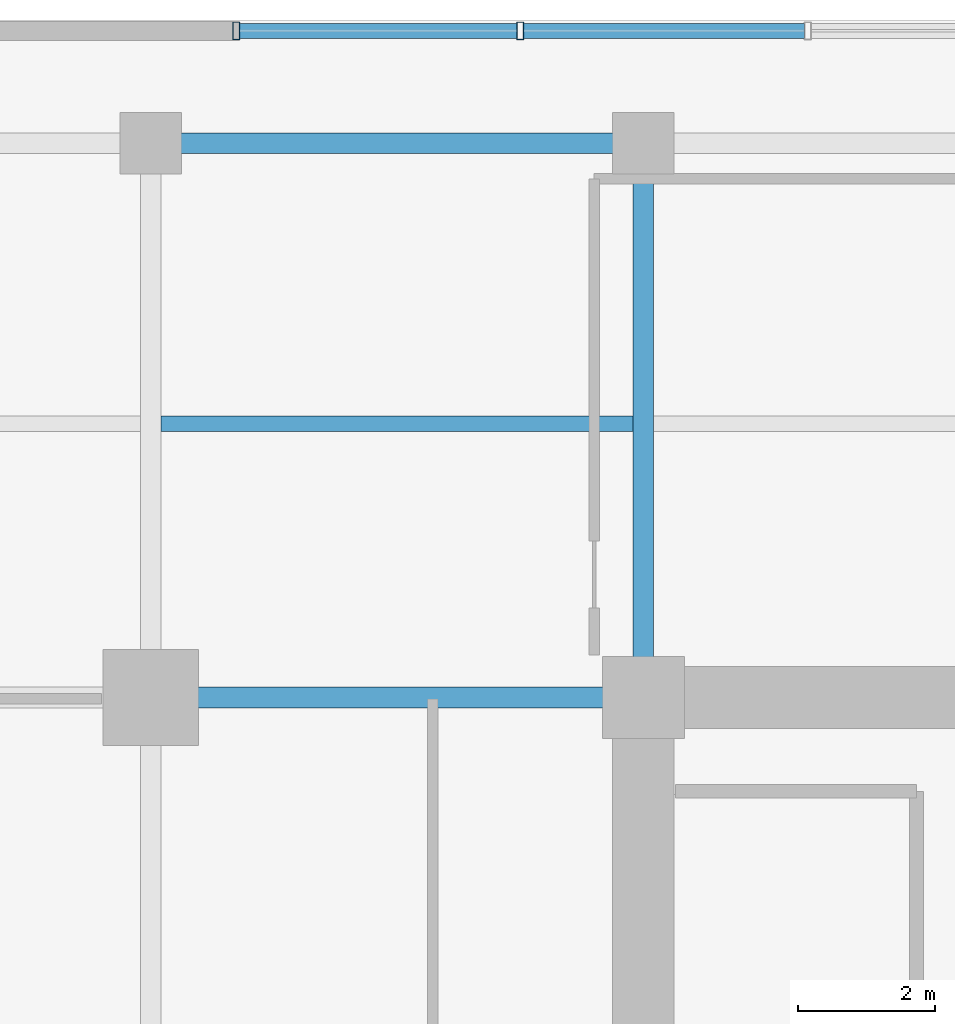
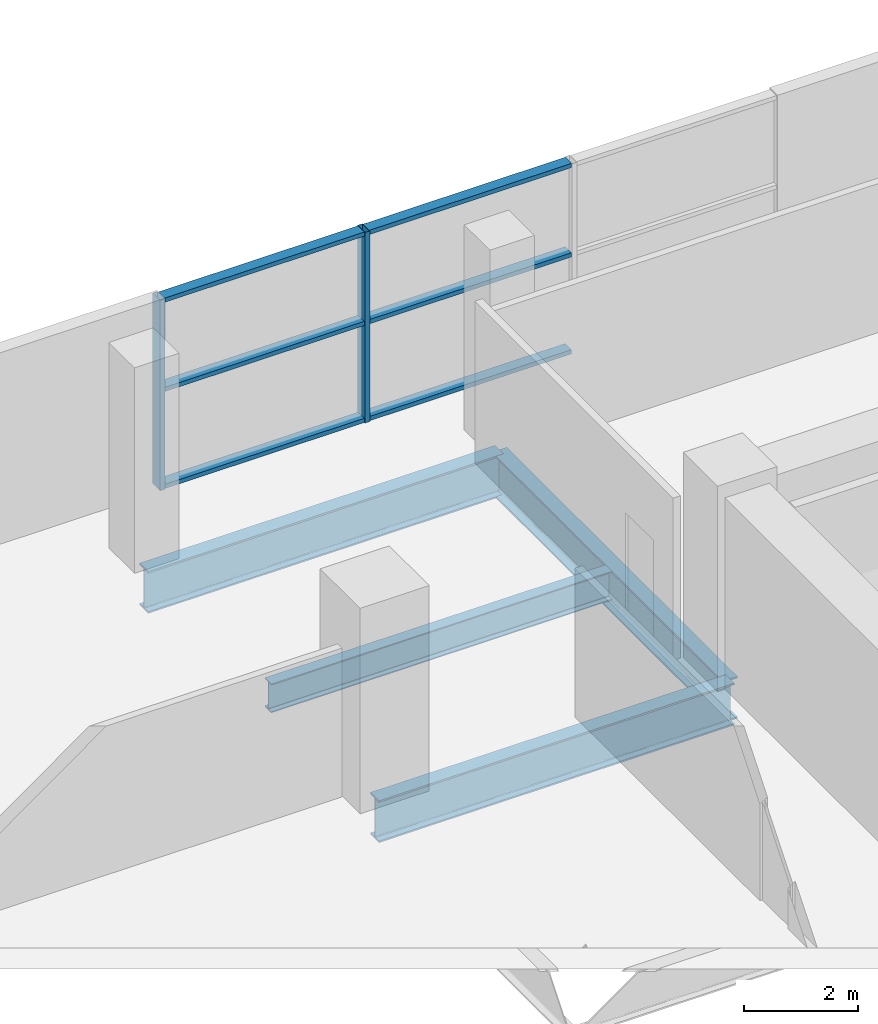
# One storey, part 7 of 23: 8 members, 4 beams, 1 element without a shape of its own.
"""IFC4 building model written with IfcOpenShell, lengths in metres."""

from ifc_helpers import new_model, si_unit, direction, frame, origin, origin_2d, place, context, subcontext, project, spatial, hollow_rectangle, i_section, extrude, source, transform, mapped, material, layer, layer_set, material_profile, profile_set, type_object, element, aggregate, save


model = new_model("IFC4")

# Units and contexts
model_context = context("Model", 3, precision=1e-05, world=origin(), true_north=direction((0.0, 1.0)))
body_context = subcontext(model_context, "Body", "Model", "MODEL_VIEW")
ifc_project = project(units=[si_unit("LENGTHUNIT", "METRE"), si_unit("AREAUNIT", "SQUARE_METRE"), si_unit("VOLUMEUNIT", "CUBIC_METRE"), si_unit("PLANEANGLEUNIT", "RADIAN"), si_unit("MASSUNIT", "GRAM", prefix="KILO")], contexts=[model_context])

# Site, building, storey
site_placement = place(None, origin())
site = spatial("IfcSite", under=ifc_project, at=site_placement, CompositionType="ELEMENT")
building_placement = place(site_placement, origin())
building = spatial("IfcBuilding", under=site, at=building_placement, Name="Zarnakvel Exchange Tower", CompositionType="ELEMENT")
storey_placement = place(building_placement, frame((0.0, 0.0, 13.800048828125)))
storey = spatial("IfcBuildingStorey", under=building, at=storey_placement, Name="L03", CompositionType="ELEMENT", Elevation=13.800048828125)

# Beams
ifc_material_1 = material(Name="Steel S355", Category="steel")
ifc_material_profile_1 = material_profile(ifc_material_1, i_section(OverallWidth=0.230224609375, OverallDepth=0.6171875, WebThickness=0.01318359375, FlangeThickness=0.022216796875, FilletRadius=0.0126953125, at=origin_2d()))
ifc_profile_set_1 = profile_set([ifc_material_profile_1], Name="Steel S355")
beam_type_1 = type_object("IfcBeamType", Name="B-02", PredefinedType="JOIST", material=ifc_profile_set_1)
beam_1_placement = place(storey_placement, frame((-21.449951171875, 17.5, -0.608642578125), z_axis=(1.0, 0.0, 0.0), x_axis=(0.0, 1.0, 0.0)))
element("IfcBeam", 1, at=beam_1_placement, inside=storey, type_object=beam_type_1, Name="L03 North Bay Secondary Floor Joist", PredefinedType="JOIST", context=body_context, shape_type="SweptSolid", body=[
    extrude(i_section(OverallWidth=0.230224609375, OverallDepth=0.6171875, WebThickness=0.01318359375, FlangeThickness=0.022216796875, FilletRadius=0.0126953125, at=origin_2d()), origin(), (0.0, 0.0, 1.0), 6.89990234375),
])
ifc_material_profile_2 = material_profile(ifc_material_1, i_section(OverallWidth=0.300048828125, OverallDepth=0.89990234375, WebThickness=0.0185546875, FlangeThickness=0.034912109375, FilletRadius=0.030029296875, at=origin_2d()))
ifc_profile_set_2 = profile_set([ifc_material_profile_2], Name="Steel S355")
beam_type_2 = type_object("IfcBeamType", Name="G-01", PredefinedType="BEAM", material=ifc_profile_set_2)
for number, where, z_axis, x_axis, name in (
    (2, (-21.60009765625, 13.5, -0.75), (1.0, 0.0, 0.0), (0.0, 1.0, 0.0), "L03 Primary E-W Girder Y=+13.5"),
    (3, (-21.60009765625, 21.60009765625, -0.75), (1.0, 0.0, 0.0), (0.0, 1.0, 0.0), "L03 Primary E-W Girder Y=+21.6"),
):
    element("IfcBeam", number, at=place(storey_placement, frame(where, z_axis=z_axis, x_axis=x_axis)), inside=storey, type_object=beam_type_2, Name=name, PredefinedType="BEAM", context=body_context, shape_type="SweptSolid", body=[
        extrude(i_section(OverallWidth=0.300048828125, OverallDepth=0.89990234375, WebThickness=0.0185546875, FlangeThickness=0.034912109375, FilletRadius=0.030029296875, at=origin_2d()), origin(), (0.0, 0.0, 1.0), 7.2001953125),
    ])
beam_2_placement = place(storey_placement, frame((-14.39990234375, 13.5, -0.75), z_axis=(0.0, 1.0, 0.0), x_axis=(-1.0, 0.0, 0.0)))
element("IfcBeam", 4, at=beam_2_placement, inside=storey, type_object=beam_type_2, Name="L03 Primary N-S Girder X=-14.4", PredefinedType="BEAM", context=body_context, shape_type="SweptSolid", body=[
    extrude(i_section(OverallWidth=0.300048828125, OverallDepth=0.89990234375, WebThickness=0.0185546875, FlangeThickness=0.034912109375, FilletRadius=0.030029296875, at=origin_2d()), origin(), (0.0, 0.0, 1.0), 8.10009765625),
])

# Curtain wall, members
ifc_material_2 = material(Name="Architectural Bronze Anodised Aluminium", Category="aluminium")
ifc_layer = layer(ifc_material_2, 0.260009765625)
ifc_layer_set = layer_set([ifc_layer], Name="Architectural Bronze Anodised Aluminium")
curtain_wall_type = type_object("IfcCurtainWallType", Name="CW-01", PredefinedType="NOTDEFINED", material=ifc_layer_set)
curtain_wall_placement = place(storey_placement, origin())
curtain_wall = element("IfcCurtainWall", 5, at=curtain_wall_placement, inside=storey, type_object=curtain_wall_type, Name="L03 Curtain Wall CW-L03-N1 (CW-01)", PredefinedType="NOTDEFINED")
ifc_material_profile_3 = material_profile(ifc_material_2, hollow_rectangle(XDim=0.219970703125, YDim=0.090087890625, WallThickness=0.0048828125, at=origin_2d()))
ifc_profile_set_3 = profile_set([ifc_material_profile_3], Name="Architectural Bronze Anodised Aluminium")
member_type_1 = type_object("IfcMemberType", Name="CWT-01", PredefinedType="USERDEFINED", material=ifc_profile_set_3)
shared_shape_1 = source(origin(), body_context, "Body", "SweptSolid", [
    extrude(hollow_rectangle(XDim=0.219970703125, YDim=0.090087890625, WallThickness=0.0048828125, at=origin_2d()), origin(), (0.0, 0.0, 1.0), 4.050048828125),
])
member_1_placement = place(storey_placement, frame((-20.300048828125, 23.239990234375, 0.044921875), z_axis=(1.0, 0.0, 0.0), x_axis=(0.0, 1.0, 0.0)))
member_1 = element("IfcMember", 6, at=member_1_placement, type_object=member_type_1, Name="CW-01 transom 1.1", ObjectType="TRANSOM", PredefinedType="USERDEFINED", context=body_context, shape_type="MappedRepresentation", body=[
    mapped(shared_shape_1, transform((0.0, 0.0, 0.0), x_axis=(1.0, 0.0, 0.0), y_axis=(0.0, 1.0, 0.0), z_axis=(0.0, 0.0, 1.0), scale=1.0)),
])
member_2_placement = place(storey_placement, frame((-20.300048828125, 23.239990234375, 2.12158203125), z_axis=(1.0, 0.0, 0.0), x_axis=(0.0, 1.0, 0.0)))
member_2 = element("IfcMember", 7, at=member_2_placement, type_object=member_type_1, Name="CW-01 transom 1.2", ObjectType="TRANSOM", PredefinedType="USERDEFINED", context=body_context, shape_type="MappedRepresentation", body=[
    mapped(shared_shape_1, transform((0.0, 0.0, 0.0), x_axis=(1.0, 0.0, 0.0), y_axis=(0.0, 1.0, 0.0), z_axis=(0.0, 0.0, 1.0), scale=1.0)),
])
member_3_placement = place(storey_placement, frame((-20.300048828125, 23.239990234375, 4.034912109375), z_axis=(1.0, 0.0, 0.0), x_axis=(0.0, 1.0, 0.0)))
member_3 = element("IfcMember", 8, at=member_3_placement, type_object=member_type_1, Name="CW-01 transom 1.3", ObjectType="TRANSOM", PredefinedType="USERDEFINED", context=body_context, shape_type="MappedRepresentation", body=[
    mapped(shared_shape_1, transform((0.0, 0.0, 0.0), x_axis=(1.0, 0.0, 0.0), y_axis=(0.0, 1.0, 0.0), z_axis=(0.0, 0.0, 1.0), scale=1.0)),
])
shared_shape_2 = source(origin(), body_context, "Body", "SweptSolid", [
    extrude(hollow_rectangle(XDim=0.219970703125, YDim=0.090087890625, WallThickness=0.0048828125, at=origin_2d()), origin(), (0.0, 0.0, 1.0), 4.099853515625),
])
member_4_placement = place(storey_placement, frame((-16.14990234375, 23.239990234375, 0.044921875), z_axis=(1.0, 0.0, 0.0), x_axis=(0.0, 1.0, 0.0)))
member_4 = element("IfcMember", 9, at=member_4_placement, type_object=member_type_1, Name="CW-01 transom 2.1", ObjectType="TRANSOM", PredefinedType="USERDEFINED", context=body_context, shape_type="MappedRepresentation", body=[
    mapped(shared_shape_2, transform((0.0, 0.0, 0.0), x_axis=(1.0, 0.0, 0.0), y_axis=(0.0, 1.0, 0.0), z_axis=(0.0, 0.0, 1.0), scale=1.0)),
])
member_5_placement = place(storey_placement, frame((-16.14990234375, 23.239990234375, 2.12158203125), z_axis=(1.0, 0.0, 0.0), x_axis=(0.0, 1.0, 0.0)))
member_5 = element("IfcMember", 10, at=member_5_placement, type_object=member_type_1, Name="CW-01 transom 2.2", ObjectType="TRANSOM", PredefinedType="USERDEFINED", context=body_context, shape_type="MappedRepresentation", body=[
    mapped(shared_shape_2, transform((0.0, 0.0, 0.0), x_axis=(1.0, 0.0, 0.0), y_axis=(0.0, 1.0, 0.0), z_axis=(0.0, 0.0, 1.0), scale=1.0)),
])
member_6_placement = place(storey_placement, frame((-16.14990234375, 23.239990234375, 4.034912109375), z_axis=(1.0, 0.0, 0.0), x_axis=(0.0, 1.0, 0.0)))
member_6 = element("IfcMember", 11, at=member_6_placement, type_object=member_type_1, Name="CW-01 transom 2.3", ObjectType="TRANSOM", PredefinedType="USERDEFINED", context=body_context, shape_type="MappedRepresentation", body=[
    mapped(shared_shape_2, transform((0.0, 0.0, 0.0), x_axis=(1.0, 0.0, 0.0), y_axis=(0.0, 1.0, 0.0), z_axis=(0.0, 0.0, 1.0), scale=1.0)),
])
ifc_material_profile_4 = material_profile(ifc_material_2, hollow_rectangle(XDim=0.260009765625, YDim=0.10009765625, WallThickness=0.006103515625, at=origin_2d()))
ifc_profile_set_4 = profile_set([ifc_material_profile_4], Name="Architectural Bronze Anodised Aluminium")
member_type_2 = type_object("IfcMemberType", Name="CWM-01", PredefinedType="MULLION", material=ifc_profile_set_4)
shared_shape_3 = source(origin(), body_context, "Body", "SweptSolid", [
    extrude(hollow_rectangle(XDim=0.260009765625, YDim=0.10009765625, WallThickness=0.006103515625, at=origin_2d()), origin(), (0.0, 0.0, 1.0), 4.079833984375),
])
member_7_placement = place(storey_placement, frame((-20.35009765625, 23.239990234375, 0.0), z_axis=(0.0, 0.0, 1.0), x_axis=(0.0, 1.0, 0.0)))
member_7 = element("IfcMember", 12, at=member_7_placement, type_object=member_type_2, Name="CW-01 mullion 1", PredefinedType="MULLION", context=body_context, shape_type="MappedRepresentation", body=[
    mapped(shared_shape_3, transform((0.0, 0.0, 0.0), x_axis=(1.0, 0.0, 0.0), y_axis=(0.0, 1.0, 0.0), z_axis=(0.0, 0.0, 1.0), scale=1.0)),
])
member_8_placement = place(storey_placement, frame((-16.199951171875, 23.239990234375, 0.0), z_axis=(0.0, 0.0, 1.0), x_axis=(0.0, 1.0, 0.0)))
member_8 = element("IfcMember", 13, at=member_8_placement, type_object=member_type_2, Name="CW-01 mullion 2", PredefinedType="MULLION", context=body_context, shape_type="MappedRepresentation", body=[
    mapped(shared_shape_3, transform((0.0, 0.0, 0.0), x_axis=(1.0, 0.0, 0.0), y_axis=(0.0, 1.0, 0.0), z_axis=(0.0, 0.0, 1.0), scale=1.0)),
])
aggregate(curtain_wall, [member_7, member_8, member_1, member_2, member_3, member_4, member_5, member_6])

save(model, "model.ifc")
